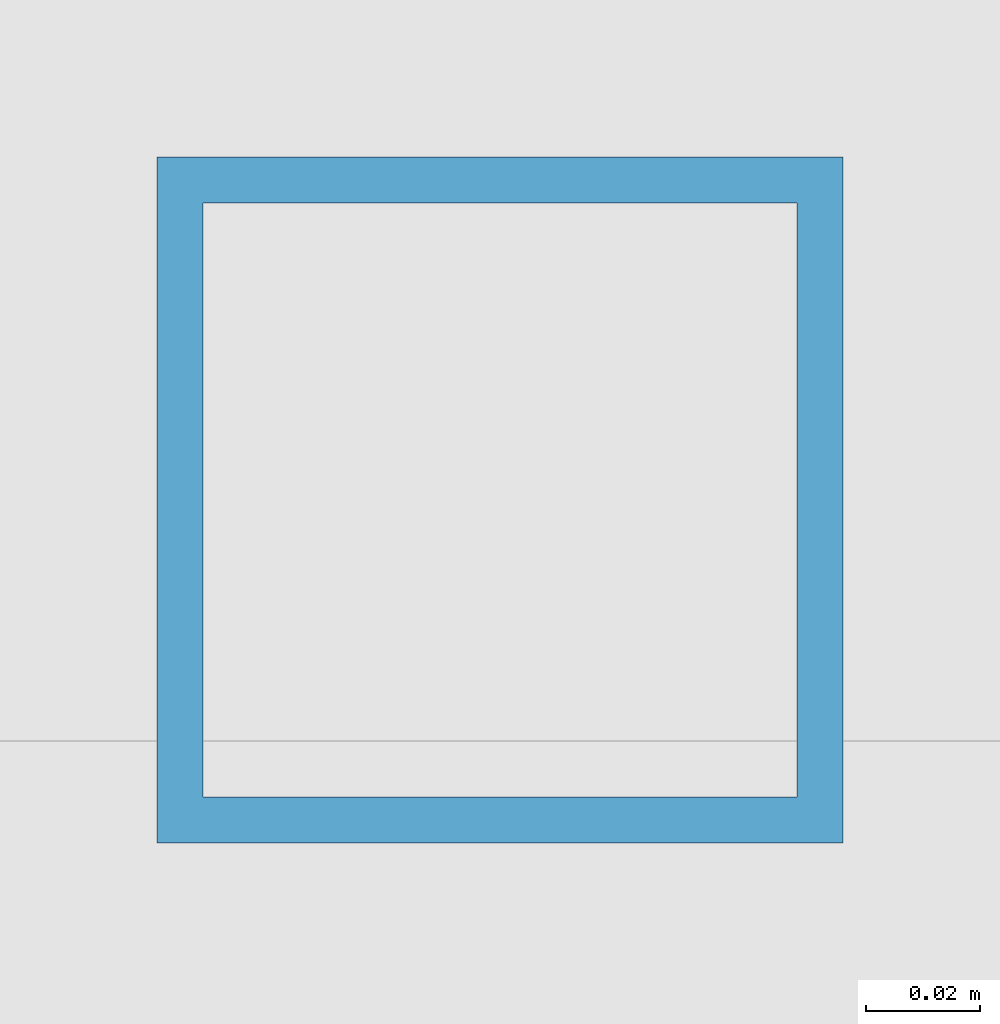
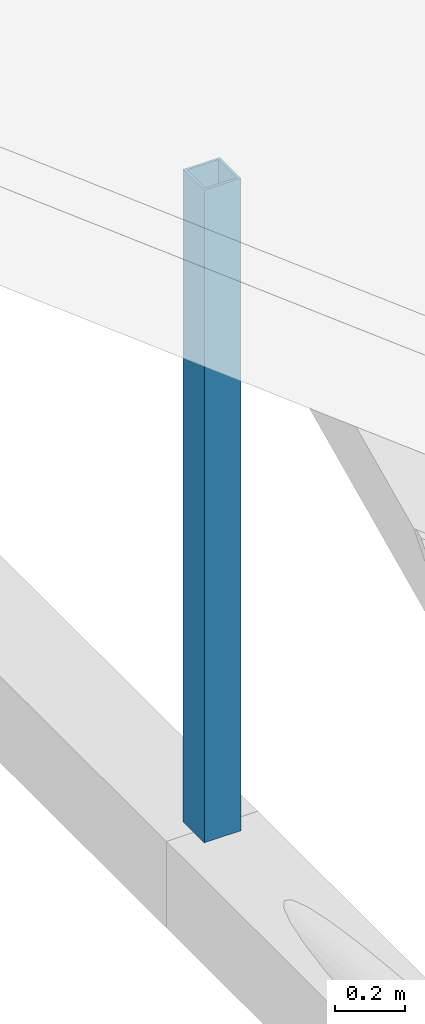
# One storey, part 48 of 154: 1 member.
"""IFC4 building model written with IfcOpenShell, lengths in metres."""

from ifc_helpers import new_model, si_unit, direction, frame, origin, origin_2d, place, context, subcontext, project, spatial, hollow_rectangle, extrude, material, material_profile, profile_set, type_object, element, save


model = new_model("IFC4")

# Units and contexts
model_context = context("Model", 3, precision=1e-05, world=origin(), true_north=direction((0.0, 1.0)))
body_context = subcontext(model_context, "Body", "Model", "MODEL_VIEW")
ifc_project = project(units=[si_unit("LENGTHUNIT", "METRE"), si_unit("AREAUNIT", "SQUARE_METRE"), si_unit("VOLUMEUNIT", "CUBIC_METRE"), si_unit("PLANEANGLEUNIT", "RADIAN"), si_unit("MASSUNIT", "GRAM", prefix="KILO")], contexts=[model_context])

# Site, building, storey
site_placement = place(None, origin())
site = spatial("IfcSite", under=ifc_project, at=site_placement, CompositionType="ELEMENT")
building_placement = place(site_placement, origin())
building = spatial("IfcBuilding", under=site, at=building_placement, Name="Golden Quay Civic Hall", CompositionType="ELEMENT")
storey_placement = place(building_placement, frame((0.0, 0.0, 14.39990234375)))
storey = spatial("IfcBuildingStorey", under=building, at=storey_placement, Name="L03", CompositionType="ELEMENT", Elevation=14.39990234375)

# Member
ifc_material = material(Name="Steel S355", Category="steel")
ifc_material_profile = material_profile(ifc_material, hollow_rectangle(XDim=0.1201171875, YDim=0.1201171875, WallThickness=0.008056640625, at=origin_2d()), Name="SHS 120x120x8")
ifc_profile_set = profile_set([ifc_material_profile], Name="Steel S355")
member_type = type_object("IfcMemberType", Name="Steel truss post SHS 120x120x8", PredefinedType="USERDEFINED", material=ifc_profile_set)
member_placement = place(storey_placement, frame((126.0, 67.5, 0.050048828125), z_axis=(0.0, 0.0, 1.0), x_axis=(1.0, 0.0, 0.0)))
element("IfcMember", 1, at=member_placement, inside=storey, type_object=member_type, Name="Truss 126 post 2 L03", ObjectType="TRUSS POST", PredefinedType="USERDEFINED", context=body_context, shape_type="SweptSolid", body=[
    extrude(hollow_rectangle(XDim=0.1201171875, YDim=0.1201171875, WallThickness=0.008056640625, at=origin_2d()), origin(), (0.0, 0.0, 1.0), 2.26611328125),
])

save(model, "model.ifc")
